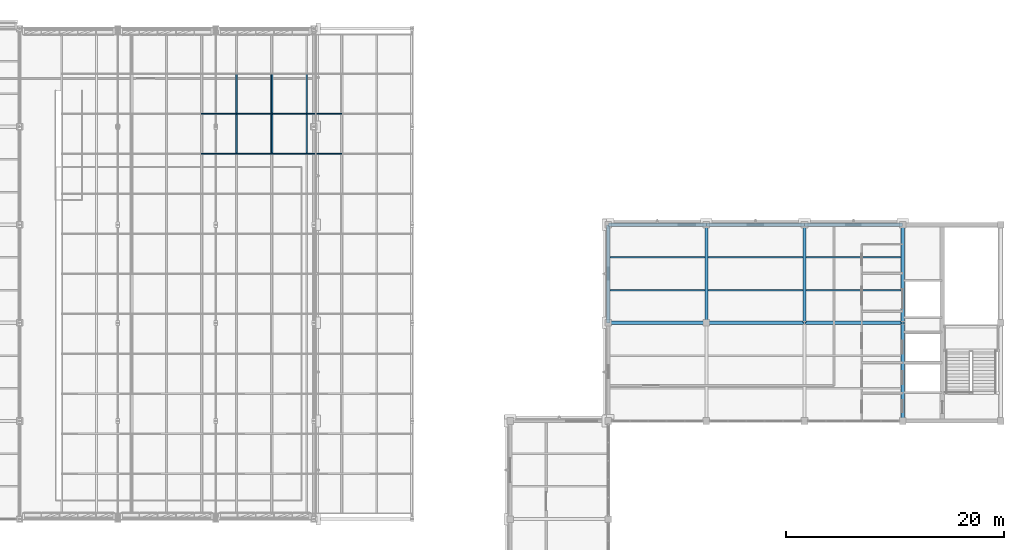
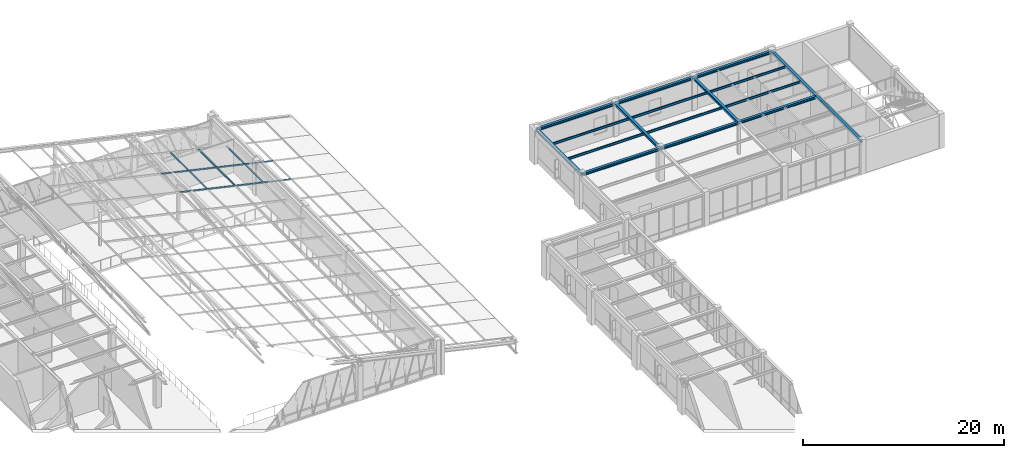
# One storey, part 96 of 130: 17 beams, 12 members, 2 elements without a shape of their own.
"""IFC4 building model written with IfcOpenShell, lengths in metres."""

from ifc_helpers import new_model, si_unit, direction, frame, origin, origin_2d, place, context, subcontext, project, spatial, hollow_rectangle, i_section, extrude, material, material_profile, profile_set, type_object, element, aggregate, save


model = new_model("IFC4")

# Units and contexts
model_context = context("Model", 3, precision=1e-05, world=origin(), true_north=direction((0.0, 1.0)))
body_context = subcontext(model_context, "Body", "Model", "MODEL_VIEW")
ifc_project = project(units=[si_unit("LENGTHUNIT", "METRE"), si_unit("AREAUNIT", "SQUARE_METRE"), si_unit("VOLUMEUNIT", "CUBIC_METRE"), si_unit("PLANEANGLEUNIT", "RADIAN"), si_unit("MASSUNIT", "GRAM", prefix="KILO")], contexts=[model_context])

# Site, building, storey
site_placement = place(None, origin())
site = spatial("IfcSite", under=ifc_project, at=site_placement, CompositionType="ELEMENT")
building_placement = place(site_placement, origin())
building = spatial("IfcBuilding", under=site, at=building_placement, Name="Lykobir Media Centre", CompositionType="ELEMENT")
storey_placement = place(building_placement, frame((0.0, 0.0, 19.199951171875)))
storey = spatial("IfcBuildingStorey", under=building, at=storey_placement, Name="L04", CompositionType="ELEMENT", Elevation=19.199951171875)

# Beams
ifc_material_1 = material(Name="Steel S355", Category="steel")
ifc_material_profile_1 = material_profile(ifc_material_1, i_section(OverallWidth=0.300048828125, OverallDepth=0.2900390625, WebThickness=0.008544921875, FlangeThickness=0.013916015625, at=origin_2d()), Name="HEA 300")
ifc_profile_set_1 = profile_set([ifc_material_profile_1], Name="Steel S355")
beam_type_1 = type_object("IfcBeamType", Name="BM-HEA300", PredefinedType="BEAM", material=ifc_profile_set_1)
for number, where, z_axis, x_axis, name in (
    (1, (99.0, 81.0, 3.804931640625), (0.0, 1.0, 0.0), (-1.0, 0.0, 0.0), "Beam BM-L04-0990-0810-0990-0900-2300"),
    (2, (108.0, 81.0, 3.804931640625), (0.0, 1.0, 0.0), (-1.0, 0.0, 0.0), "Beam BM-L04-1080-0810-1080-0900-2300"),
    (3, (117.0, 81.0, 3.81494140625), (0.0, 1.0, 0.0), (-1.0, 0.0, 0.0), "Beam BM-L04-1170-0810-1170-0900-2302"),
    (4, (126.0, 72.0, 3.81494140625), (0.0, 1.0, 0.0), (-1.0, 0.0, 0.0), "Beam BM-L04-1260-0720-1260-0810-2302"),
    (5, (126.0, 81.0, 3.81494140625), (0.0, 1.0, 0.0), (-1.0, 0.0, 0.0), "Beam BM-L04-1260-0810-1260-0900-2302"),
):
    element("IfcBeam", number, at=place(storey_placement, frame(where, z_axis=z_axis, x_axis=x_axis)), inside=storey, type_object=beam_type_1, Name=name, PredefinedType="BEAM", context=body_context, shape_type="SweptSolid", body=[
        extrude(i_section(OverallWidth=0.300048828125, OverallDepth=0.2900390625, WebThickness=0.008544921875, FlangeThickness=0.013916015625, at=origin_2d()), origin(), (0.0, 0.0, 1.0), 9.0),
    ])
ifc_material_profile_2 = material_profile(ifc_material_1, i_section(OverallWidth=0.300048828125, OverallDepth=0.31005859375, WebThickness=0.009033203125, FlangeThickness=0.015380859375, at=origin_2d()), Name="HEA 320")
ifc_profile_set_2 = profile_set([ifc_material_profile_2], Name="Steel S355")
beam_type_2 = type_object("IfcBeamType", Name="BM-HEA320", PredefinedType="BEAM", material=ifc_profile_set_2)
for number, where, z_axis, x_axis, name in (
    (6, (99.0, 81.0, 3.795166015625), (1.0, 0.0, 0.0), (0.0, 1.0, 0.0), "Beam BM-L04-0990-0810-1080-0810-2300"),
    (7, (108.0, 81.0, 3.79296875), (1.0, 0.0, 0.0), (0.0, 1.0, 0.0), "Beam BM-L04-1080-0810-1170-0810-2300"),
    (8, (117.0, 81.0, 3.804931640625), (1.0, 0.0, 0.0), (0.0, 1.0, 0.0), "Beam BM-L04-1170-0810-1260-0810-2300"),
):
    element("IfcBeam", number, at=place(storey_placement, frame(where, z_axis=z_axis, x_axis=x_axis)), inside=storey, type_object=beam_type_2, Name=name, PredefinedType="BEAM", context=body_context, shape_type="SweptSolid", body=[
        extrude(i_section(OverallWidth=0.300048828125, OverallDepth=0.31005859375, WebThickness=0.009033203125, FlangeThickness=0.015380859375, at=origin_2d()), origin(), (0.0, 0.0, 1.0), 9.0),
    ])

# Curtain wall, members
ifc_material_2 = material(Name="Anodized Aluminium AW-6060", Category="aluminium")
curtain_wall_type = type_object("IfcCurtainWallType", Name="CW-V6-SKY", PredefinedType="NOTDEFINED", material=ifc_material_2)
curtain_wall_1_placement = place(storey_placement, origin())
curtain_wall_1 = element("IfcCurtainWall", 9, at=curtain_wall_1_placement, inside=storey, type_object=curtain_wall_type, Name="Curtain wall CW-V6-SKY02", PredefinedType="NOTDEFINED")
ifc_material_profile_3 = material_profile(ifc_material_2, hollow_rectangle(XDim=0.074951171875, YDim=0.14990234375, WallThickness=0.00341796875, at=origin_2d()), Name="ALU TRANSOM 75x150")
ifc_profile_set_3 = profile_set([ifc_material_profile_3], Name="Anodized Aluminium AW-6060")
member_type = type_object("IfcMemberType", Name="CWT-150", PredefinedType="USERDEFINED", material=ifc_profile_set_3)
member_1_placement = place(storey_placement, frame((74.549072265625, 100.179931640625, 2.358642578125), z_axis=(-0.975255318588, 0.0, 0.221081576721), x_axis=(0.0, -1.0, 0.0)))
member_1 = element("IfcMember", 10, at=member_1_placement, type_object=member_type, Name="CW-V6-SKY02 rafter transom 3", ObjectType="TRANSOM", PredefinedType="USERDEFINED", context=body_context, shape_type="SweptSolid", body=[
    extrude(hollow_rectangle(XDim=0.074951171875, YDim=0.14990234375, WallThickness=0.00341796875, at=origin_2d()), origin(), (0.0, 0.0, 1.0), 6.591552734375),
])
member_2_placement = place(storey_placement, frame((74.549072265625, 96.510009765625, 2.358642578125), z_axis=(-0.975255318588, 0.0, 0.221081576721), x_axis=(0.0, -1.0, 0.0)))
member_2 = element("IfcMember", 11, at=member_2_placement, type_object=member_type, Name="CW-V6-SKY02 rafter transom 4", ObjectType="TRANSOM", PredefinedType="USERDEFINED", context=body_context, shape_type="SweptSolid", body=[
    extrude(hollow_rectangle(XDim=0.074951171875, YDim=0.14990234375, WallThickness=0.00341796875, at=origin_2d()), origin(), (0.0, 0.0, 1.0), 6.591552734375),
])
member_3_placement = place(storey_placement, frame((71.334716796875, 103.8125, 3.087158203125), z_axis=(0.0, -1.0, 0.0), x_axis=(0.221071923309, 0.0, 0.975257506879)))
member_3 = element("IfcMember", 12, at=member_3_placement, type_object=member_type, Name="CW-V6-SKY02 transom 2.2", ObjectType="TRANSOM", PredefinedType="USERDEFINED", context=body_context, shape_type="SweptSolid", body=[
    extrude(hollow_rectangle(XDim=0.074951171875, YDim=0.14990234375, WallThickness=0.00341796875, at=origin_2d()), origin(), (0.0, 0.0, 1.0), 3.594970703125),
])
member_4_placement = place(storey_placement, frame((68.1572265625, 103.8125, 3.8076171875), z_axis=(0.0, -1.0, 0.0), x_axis=(0.221071923309, 0.0, 0.975257506879)))
member_4 = element("IfcMember", 13, at=member_4_placement, type_object=member_type, Name="CW-V6-SKY02 transom 2.3", ObjectType="TRANSOM", PredefinedType="USERDEFINED", context=body_context, shape_type="SweptSolid", body=[
    extrude(hollow_rectangle(XDim=0.074951171875, YDim=0.14990234375, WallThickness=0.00341796875, at=origin_2d()), origin(), (0.0, 0.0, 1.0), 3.594970703125),
])
member_5_placement = place(storey_placement, frame((71.334716796875, 100.142578125, 3.087158203125), z_axis=(0.0, -1.0, 0.0), x_axis=(0.221071923309, 0.0, 0.975257506879)))
member_5 = element("IfcMember", 14, at=member_5_placement, type_object=member_type, Name="CW-V6-SKY02 transom 3.2", ObjectType="TRANSOM", PredefinedType="USERDEFINED", context=body_context, shape_type="SweptSolid", body=[
    extrude(hollow_rectangle(XDim=0.074951171875, YDim=0.14990234375, WallThickness=0.00341796875, at=origin_2d()), origin(), (0.0, 0.0, 1.0), 3.594970703125),
])
member_6_placement = place(storey_placement, frame((68.1572265625, 100.142578125, 3.8076171875), z_axis=(0.0, -1.0, 0.0), x_axis=(0.221071923309, 0.0, 0.975257506879)))
member_6 = element("IfcMember", 15, at=member_6_placement, type_object=member_type, Name="CW-V6-SKY02 transom 3.3", ObjectType="TRANSOM", PredefinedType="USERDEFINED", context=body_context, shape_type="SweptSolid", body=[
    extrude(hollow_rectangle(XDim=0.074951171875, YDim=0.14990234375, WallThickness=0.00341796875, at=origin_2d()), origin(), (0.0, 0.0, 1.0), 3.594970703125),
])
aggregate(curtain_wall_1, [member_1, member_2, member_3, member_4, member_5, member_6])

curtain_wall_2_placement = place(storey_placement, origin())
curtain_wall_2 = element("IfcCurtainWall", 16, at=curtain_wall_2_placement, inside=storey, type_object=curtain_wall_type, Name="Curtain wall CW-V6-SKY03", PredefinedType="NOTDEFINED")
member_7_placement = place(storey_placement, frame((68.12060546875, 100.179931640625, 3.81591796875), z_axis=(-0.97526330388, 0.0, 0.221046348318), x_axis=(0.0, -1.0, 0.0)))
member_7 = element("IfcMember", 17, at=member_7_placement, type_object=member_type, Name="CW-V6-SKY03 rafter transom 3", ObjectType="TRANSOM", PredefinedType="USERDEFINED", context=body_context, shape_type="SweptSolid", body=[
    extrude(hollow_rectangle(XDim=0.074951171875, YDim=0.14990234375, WallThickness=0.00341796875, at=origin_2d()), origin(), (0.0, 0.0, 1.0), 6.591552734375),
])
member_8_placement = place(storey_placement, frame((68.12060546875, 96.510009765625, 3.81591796875), z_axis=(-0.97526330388, 0.0, 0.221046348318), x_axis=(0.0, -1.0, 0.0)))
member_8 = element("IfcMember", 18, at=member_8_placement, type_object=member_type, Name="CW-V6-SKY03 rafter transom 4", ObjectType="TRANSOM", PredefinedType="USERDEFINED", context=body_context, shape_type="SweptSolid", body=[
    extrude(hollow_rectangle(XDim=0.074951171875, YDim=0.14990234375, WallThickness=0.00341796875, at=origin_2d()), origin(), (0.0, 0.0, 1.0), 6.591552734375),
])
member_9_placement = place(storey_placement, frame((68.083984375, 103.8125, 3.82421875), z_axis=(0.0, -1.0, 0.0), x_axis=(0.221054901821, 0.0, 0.975261365164)))
member_9 = element("IfcMember", 19, at=member_9_placement, type_object=member_type, Name="CW-V6-SKY03 transom 2.1", ObjectType="TRANSOM", PredefinedType="USERDEFINED", context=body_context, shape_type="SweptSolid", body=[
    extrude(hollow_rectangle(XDim=0.074951171875, YDim=0.14990234375, WallThickness=0.00341796875, at=origin_2d()), origin(), (0.0, 0.0, 1.0), 3.594970703125),
])
member_10_placement = place(storey_placement, frame((64.90625, 103.8125, 4.54443359375), z_axis=(0.0, -1.0, 0.0), x_axis=(0.221054901821, 0.0, 0.975261365164)))
member_10 = element("IfcMember", 20, at=member_10_placement, type_object=member_type, Name="CW-V6-SKY03 transom 2.2", ObjectType="TRANSOM", PredefinedType="USERDEFINED", context=body_context, shape_type="SweptSolid", body=[
    extrude(hollow_rectangle(XDim=0.074951171875, YDim=0.14990234375, WallThickness=0.00341796875, at=origin_2d()), origin(), (0.0, 0.0, 1.0), 3.594970703125),
])
member_11_placement = place(storey_placement, frame((68.083984375, 100.142578125, 3.82421875), z_axis=(0.0, -1.0, 0.0), x_axis=(0.221054901821, 0.0, 0.975261365164)))
member_11 = element("IfcMember", 21, at=member_11_placement, type_object=member_type, Name="CW-V6-SKY03 transom 3.1", ObjectType="TRANSOM", PredefinedType="USERDEFINED", context=body_context, shape_type="SweptSolid", body=[
    extrude(hollow_rectangle(XDim=0.074951171875, YDim=0.14990234375, WallThickness=0.00341796875, at=origin_2d()), origin(), (0.0, 0.0, 1.0), 3.594970703125),
])
member_12_placement = place(storey_placement, frame((64.90625, 100.142578125, 4.54443359375), z_axis=(0.0, -1.0, 0.0), x_axis=(0.221054901821, 0.0, 0.975261365164)))
member_12 = element("IfcMember", 22, at=member_12_placement, type_object=member_type, Name="CW-V6-SKY03 transom 3.2", ObjectType="TRANSOM", PredefinedType="USERDEFINED", context=body_context, shape_type="SweptSolid", body=[
    extrude(hollow_rectangle(XDim=0.074951171875, YDim=0.14990234375, WallThickness=0.00341796875, at=origin_2d()), origin(), (0.0, 0.0, 1.0), 3.594970703125),
])
aggregate(curtain_wall_2, [member_7, member_8, member_9, member_10, member_11, member_12])

# Beams
ifc_material_profile_4 = material_profile(ifc_material_1, i_section(OverallWidth=0.135009765625, OverallDepth=0.27001953125, WebThickness=0.006591796875, FlangeThickness=0.01025390625, at=origin_2d()), Name="IPE 270")
ifc_profile_set_4 = profile_set([ifc_material_profile_4], Name="Steel S355")
beam_type_3 = type_object("IfcBeamType", Name="JS-IPE270", PredefinedType="JOIST", material=ifc_profile_set_4)
for number, where, z_axis, x_axis, name in (
    (23, (99.14990234375, 84.0, 3.81494140625), (1.0, 0.0, 0.0), (0.0, 1.0, 0.0), "Beam BM-L04-0992-0840-1078-0840-2302"),
    (24, (99.14990234375, 87.0, 3.81494140625), (1.0, 0.0, 0.0), (0.0, 1.0, 0.0), "Beam BM-L04-0992-0870-1078-0870-2302"),
    (25, (108.14990234375, 84.0, 3.824951171875), (1.0, 0.0, 0.0), (0.0, 1.0, 0.0), "Beam BM-L04-1082-0840-1168-0840-2302"),
    (26, (108.14990234375, 87.0, 3.824951171875), (1.0, 0.0, 0.0), (0.0, 1.0, 0.0), "Beam BM-L04-1082-0870-1168-0870-2302"),
    (27, (117.14990234375, 84.0, 3.824951171875), (1.0, 0.0, 0.0), (0.0, 1.0, 0.0), "Beam BM-L04-1172-0840-1258-0840-2302"),
    (28, (117.14990234375, 87.0, 3.824951171875), (1.0, 0.0, 0.0), (0.0, 1.0, 0.0), "Beam BM-L04-1172-0870-1258-0870-2302"),
):
    element("IfcBeam", number, at=place(storey_placement, frame(where, z_axis=z_axis, x_axis=x_axis)), inside=storey, type_object=beam_type_3, Name=name, PredefinedType="JOIST", context=body_context, shape_type="SweptSolid", body=[
        extrude(i_section(OverallWidth=0.135009765625, OverallDepth=0.27001953125, WebThickness=0.006591796875, FlangeThickness=0.01025390625, at=origin_2d()), origin(), (0.0, 0.0, 1.0), 8.7001953125),
    ])
ifc_material_profile_5 = material_profile(ifc_material_1, i_section(OverallWidth=0.300048828125, OverallDepth=0.31005859375, WebThickness=0.009033203125, FlangeThickness=0.015380859375, at=origin_2d()), Name="HEA 320")
ifc_profile_set_5 = profile_set([ifc_material_profile_5], Name="Steel S355")
beam_type_4 = type_object("IfcBeamType", Name="SP-HEA320", PredefinedType="SPANDREL", material=ifc_profile_set_5)
for number, where, z_axis, x_axis, name in (
    (29, (99.0, 90.0, 3.795166015625), (1.0, 0.0, 0.0), (0.0, 1.0, 0.0), "Beam BM-L04-0990-0900-1080-0900-2300"),
    (30, (108.0, 90.0, 3.79296875), (1.0, 0.0, 0.0), (0.0, 1.0, 0.0), "Beam BM-L04-1080-0900-1170-0900-2300"),
    (31, (117.0, 90.0, 3.804931640625), (1.0, 0.0, 0.0), (0.0, 1.0, 0.0), "Beam BM-L04-1170-0900-1260-0900-2300"),
):
    element("IfcBeam", number, at=place(storey_placement, frame(where, z_axis=z_axis, x_axis=x_axis)), inside=storey, type_object=beam_type_4, Name=name, PredefinedType="SPANDREL", context=body_context, shape_type="SweptSolid", body=[
        extrude(i_section(OverallWidth=0.300048828125, OverallDepth=0.31005859375, WebThickness=0.009033203125, FlangeThickness=0.015380859375, at=origin_2d()), origin(), (0.0, 0.0, 1.0), 9.0),
    ])

save(model, "model.ifc")
